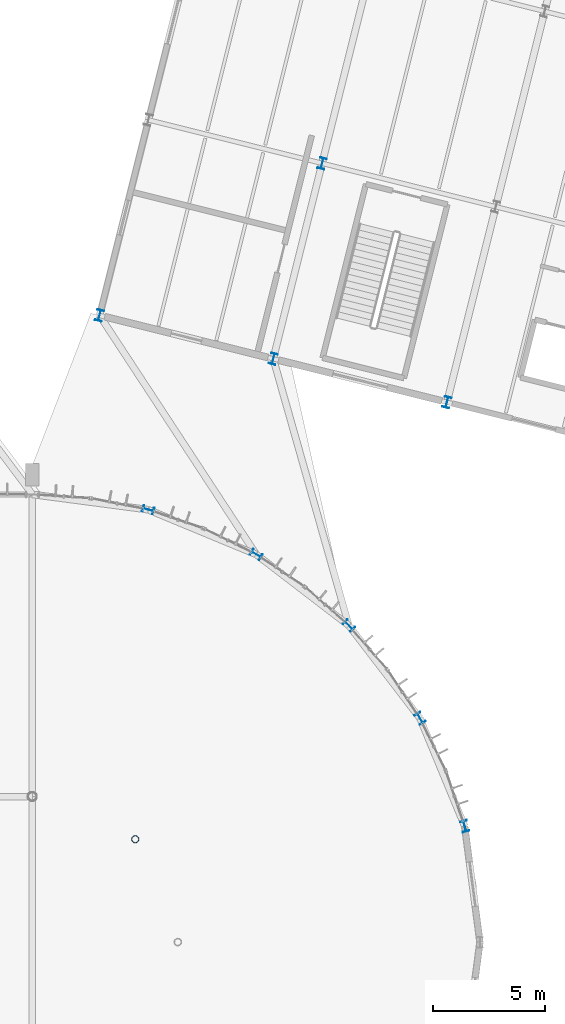
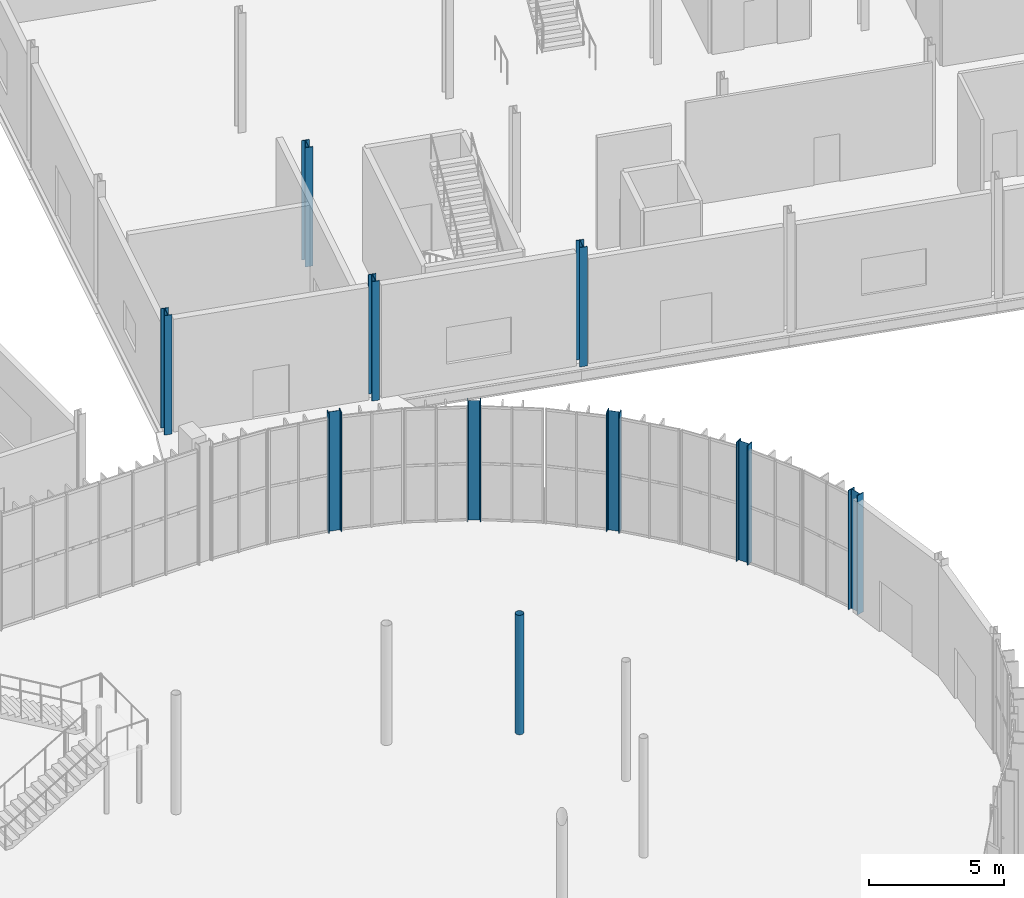
# One storey, part 16 of 158: 10 columns.
"""IFC4 building model written with IfcOpenShell, lengths in metres."""

from ifc_helpers import new_model, si_unit, derived_unit, direction, frame, origin, origin_2d, place, context, subcontext, project, spatial, hollow_circle, i_section, extrude, material, material_profile, profile_set, type_object, element, save


model = new_model("IFC4")

# Units and contexts
model_context = context("Model", 3, precision=1e-05, world=origin(), true_north=direction((0.0, 1.0)))
body_context = subcontext(model_context, "Body", "Model", "MODEL_VIEW")
ifc_project = project(units=[si_unit("LENGTHUNIT", "METRE"), si_unit("AREAUNIT", "SQUARE_METRE"), si_unit("VOLUMEUNIT", "CUBIC_METRE"), si_unit("PLANEANGLEUNIT", "RADIAN"), si_unit("MASSUNIT", "GRAM", prefix="KILO"), si_unit("THERMODYNAMICTEMPERATUREUNIT", "KELVIN"), si_unit("TIMEUNIT", "SECOND"), derived_unit("THERMALTRANSMITTANCEUNIT", [(si_unit("MASSUNIT", "GRAM", prefix="KILO"), 1), (si_unit("THERMODYNAMICTEMPERATUREUNIT", "KELVIN"), -1), (si_unit("TIMEUNIT", "SECOND"), -3)])], contexts=[model_context])

# Site, building, storey
site_placement = place(None, origin())
site = spatial("IfcSite", under=ifc_project, at=site_placement, CompositionType="ELEMENT")
building_placement = place(site_placement, origin())
building = spatial("IfcBuilding", under=site, at=building_placement, Name="Cambertide Market Hall", CompositionType="ELEMENT")
storey_placement = place(building_placement, origin())
storey = spatial("IfcBuildingStorey", under=building, at=storey_placement, Name="L01", CompositionType="ELEMENT", Elevation=0.0)

# Columns
ifc_material_1 = material(Name="Steel S355", Category="steel")
ifc_material_profile_1 = material_profile(ifc_material_1, i_section(OverallWidth=0.300048828125, OverallDepth=0.5, WebThickness=0.014404296875, FlangeThickness=0.028076171875, FilletRadius=0.027099609375, at=origin_2d()), Name="HEB 500")
ifc_profile_set_1 = profile_set([ifc_material_profile_1], Name="Steel S355")
column_type_1 = type_object("IfcColumnType", Name="Exterior Steel Column HEB 500", PredefinedType="COLUMN", material=ifc_profile_set_1)
for number, where, z_axis, x_axis, name in (
    (1, (124.318603515625, 77.17626953125, 0.0), (0.0, 0.0, 1.0), (0.965925826289, 0.258819045103, 0.0), "Level 1 Column COL-V1-AE14-L01"),
    (2, (122.320556640625, 82.0, 0.0), (0.0, 0.0, 1.0), (0.866025403784, 0.5, 0.0), "Level 1 Column COL-V1-AE16-L01"),
    (3, (119.14208984375, 86.14208984375, 0.0), (0.0, 0.0, 1.0), (0.707106781187, 0.707106781187, 0.0), "Level 1 Column COL-V1-AE18-L01"),
    (4, (115.0, 89.320556640625, 0.0), (0.0, 0.0, 1.0), (0.5, 0.866025403784, 0.0), "Level 1 Column COL-V1-AE20-L01"),
    (5, (110.17626953125, 91.318603515625, 0.0), (0.0, 0.0, 1.0), (0.258819045103, 0.965925826289, 0.0), "Level 1 Column COL-V1-AE22-L01"),
    (6, (108.0, 100.0, 0.0), (0.0, 0.0, 1.0), (0.970142500145, -0.242535625038, 0.0), "Level 1 Column COL-V4-1-1-L01"),
    (7, (115.76123046875, 98.059814453125, 0.0), (0.0, 0.0, 1.0), (0.970142500145, -0.242535625038, 0.0), "Level 1 Column COL-V4-2-1-L01"),
    (8, (123.522216796875, 96.119384765625, 0.0), (0.0, 0.0, 1.0), (0.970142500145, -0.242535625038, 0.0), "Level 1 Column COL-V4-3-1-L01"),
):
    element("IfcColumn", number, at=place(storey_placement, frame(where, z_axis=z_axis, x_axis=x_axis)), inside=storey, type_object=column_type_1, Name=name, PredefinedType="COLUMN", context=body_context, shape_type="SweptSolid", body=[
        extrude(i_section(OverallWidth=0.300048828125, OverallDepth=0.5, WebThickness=0.014404296875, FlangeThickness=0.028076171875, FilletRadius=0.027099609375, at=origin_2d()), origin(), (0.0, 0.0, 1.0), 5.39990234375),
    ])
ifc_material_2 = material(Name="Steel S355", Category="steel")
ifc_material_profile_2 = material_profile(ifc_material_2, hollow_circle(Radius=0.161865234375, WallThickness=0.010009765625, at=origin_2d()), Name="CHS 323.9x10")
ifc_profile_set_2 = profile_set([ifc_material_profile_2], Name="Steel S355")
column_type_2 = type_object("IfcColumnType", Name="Steel Column CHS 323.9x10", PredefinedType="COLUMN", material=ifc_profile_set_2)
column_1_placement = place(storey_placement, frame((109.59619140625, 76.59619140625, 0.0), z_axis=(0.0, 0.0, 1.0), x_axis=(1.0, 0.0, 0.0)))
element("IfcColumn", 9, at=column_1_placement, inside=storey, type_object=column_type_2, Name="Level 1 Column COL-V1-ME18-L01", PredefinedType="COLUMN", context=body_context, shape_type="SweptSolid", body=[
    extrude(hollow_circle(Radius=0.161865234375, WallThickness=0.010009765625, at=origin_2d()), origin(), (0.0, 0.0, 1.0), 5.39990234375),
])
ifc_material_3 = material(Name="Steel S355", Category="steel")
ifc_material_profile_3 = material_profile(ifc_material_3, i_section(OverallWidth=0.300048828125, OverallDepth=0.5, WebThickness=0.014404296875, FlangeThickness=0.028076171875, FilletRadius=0.027099609375, at=origin_2d()), Name="HEB 500")
ifc_profile_set_3 = profile_set([ifc_material_profile_3], Name="Steel S355")
column_type_3 = type_object("IfcColumnType", Name="Steel Column HEB 500", PredefinedType="COLUMN", material=ifc_profile_set_3)
column_2_placement = place(storey_placement, frame((117.94384765625, 106.791015625, 0.0), z_axis=(0.0, 0.0, 1.0), x_axis=(0.970142500145, -0.242535625038, 0.0)))
element("IfcColumn", 10, at=column_2_placement, inside=storey, type_object=column_type_3, Name="Level 1 Column COL-V4-2-2-L01", PredefinedType="COLUMN", context=body_context, shape_type="SweptSolid", body=[
    extrude(i_section(OverallWidth=0.300048828125, OverallDepth=0.5, WebThickness=0.014404296875, FlangeThickness=0.028076171875, FilletRadius=0.027099609375, at=origin_2d()), origin(), (0.0, 0.0, 1.0), 5.39990234375),
])

save(model, "model.ifc")
